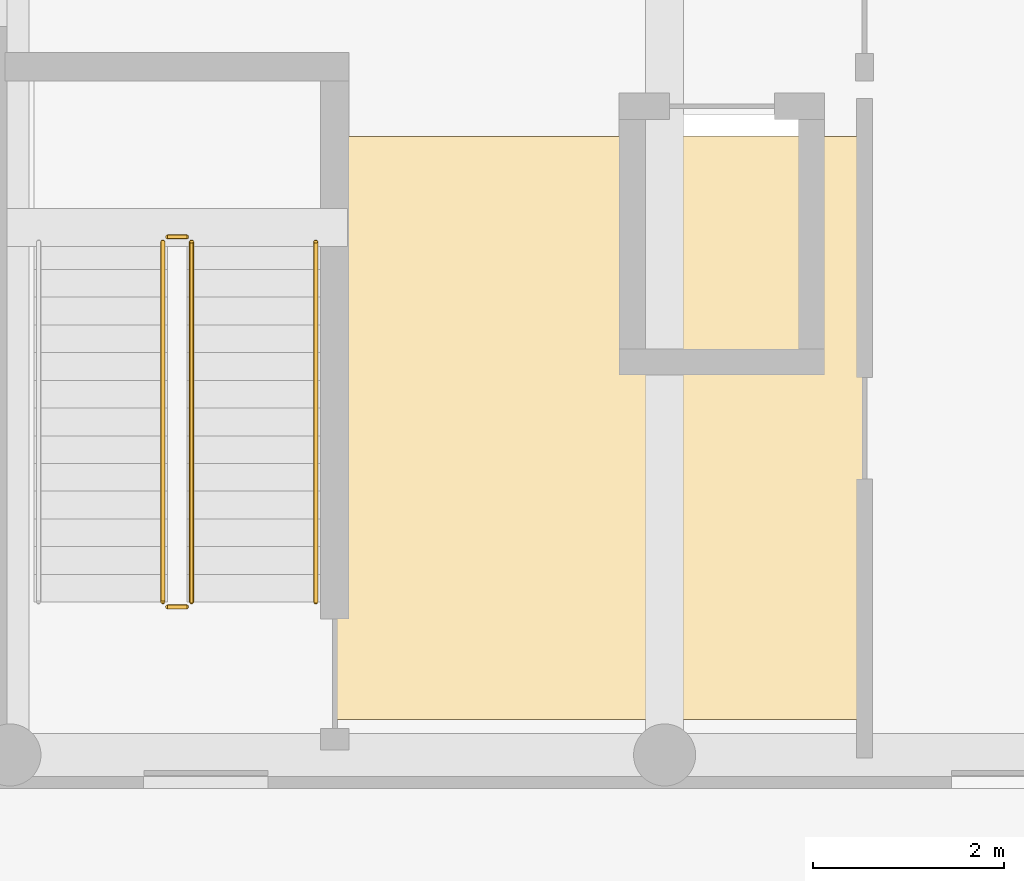
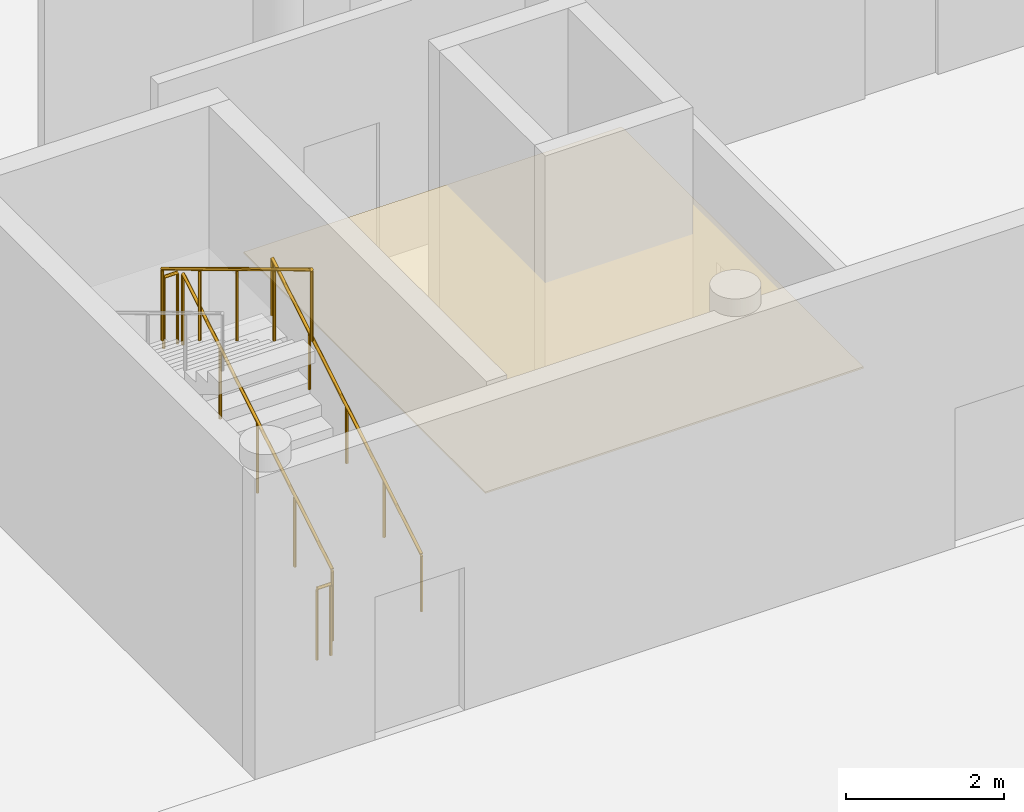
# One storey, part 72 of 85: 5 railings, 1 covering.
"""IFC4 building model written with IfcOpenShell, lengths in metres."""

from ifc_helpers import new_model, si_unit, derived_unit, direction, frame, origin, origin_2d, place, context, subcontext, project, spatial, polyline, circle, outline, extrude, material, layer, layer_set, type_object, element, save


model = new_model("IFC4")

# Units and contexts
model_context = context("Model", 3, precision=1e-05, world=origin(), true_north=direction((0.0, 1.0)))
body_context = subcontext(model_context, "Body", "Model", "MODEL_VIEW")
ifc_project = project(units=[si_unit("LENGTHUNIT", "METRE"), si_unit("AREAUNIT", "SQUARE_METRE"), si_unit("VOLUMEUNIT", "CUBIC_METRE"), si_unit("PLANEANGLEUNIT", "RADIAN"), si_unit("MASSUNIT", "GRAM", prefix="KILO"), derived_unit("THERMALTRANSMITTANCEUNIT", [(si_unit("MASSUNIT", "GRAM", prefix="KILO"), 1), (si_unit("TIMEUNIT", "SECOND"), -3), (si_unit("THERMODYNAMICTEMPERATUREUNIT", "KELVIN"), -1)])], contexts=[model_context])

# Site, building, storey
site_placement = place(None, origin())
site = spatial("IfcSite", under=ifc_project, at=site_placement, CompositionType="ELEMENT")
building_placement = place(site_placement, origin())
building = spatial("IfcBuilding", under=site, at=building_placement, Name="Ochrekiln Boulevard Commons", CompositionType="ELEMENT")
storey_placement = place(building_placement, origin())
storey = spatial("IfcBuildingStorey", under=building, at=storey_placement, Name="L00", CompositionType="ELEMENT", Elevation=0.0)

# Covering
ifc_material_1 = material(Name="Mineral-fibre acoustic ceiling tile")
ifc_layer = layer(ifc_material_1, 0.02490234375)
ifc_layer_set = layer_set([ifc_layer], Name="Mineral-fibre acoustic ceiling tile")
covering_type = type_object("IfcCoveringType", Name="COV-CEIL-AC", PredefinedType="CEILING", material=ifc_layer_set)
covering_placement = place(storey_placement, frame((0.0, 0.0, 2.64990234375)))
element("IfcCovering", 1, at=covering_placement, inside=storey, type_object=covering_type, Name="L00 Acoustic Corridor Ceiling 9", PredefinedType="CEILING", context=body_context, shape_type="SweptSolid", body=[
    extrude(outline(polyline([(68.570068359375, 97.919921875), (74.080078125, 97.919921875), (74.080078125, 104.02001953125), (68.570068359375, 104.02001953125), (68.570068359375, 97.919921875)])), origin(), (0.0, 0.0, 1.0), 0.025146484375),
])

# Railings
ifc_material_2 = material(Name="Brushed stainless steel 316 tubular railing", Category="steel")
railing_type_1 = type_object("IfcRailingType", Name="RLG-HDR-900", PredefinedType="HANDRAIL", material=ifc_material_2)
railing_1_placement = place(storey_placement, frame((68.35009765625, 99.14990234375, 0.175048828125)))
element("IfcRailing", 2, at=railing_1_placement, inside=storey, type_object=railing_type_1, Name="L00 ST-N1 stair handrail 1", PredefinedType="HANDRAIL", context=body_context, shape_type="SweptSolid", body=[
    extrude(circle(Radius=0.02392578125, at=origin_2d()), frame((0.0, 0.0, 0.8759765625), z_axis=(0.0, 0.856198655849, 0.51664674752), x_axis=(-1.0, 0.0, 0.0)), (0.0, 0.0, 1.0), 4.4033203125),
    extrude(circle(Radius=0.02099609375, at=origin_2d()), origin(), (0.0, 0.0, 1.0), 0.851806640625),
    extrude(circle(Radius=0.02099609375, at=origin_2d()), frame((0.0, 0.9423828125, 0.56884765625)), (0.0, 0.0, 1.0), 0.851806640625),
    extrude(circle(Radius=0.02099609375, at=origin_2d()), frame((0.0, 1.885009765625, 1.137451171875)), (0.0, 0.0, 1.0), 0.851806640625),
    extrude(circle(Radius=0.02099609375, at=origin_2d()), frame((0.0, 2.82763671875, 1.7060546875)), (0.0, 0.0, 1.0), 0.851806640625),
    extrude(circle(Radius=0.02099609375, at=origin_2d()), frame((0.0, 3.77001953125, 2.27490234375)), (0.0, 0.0, 1.0), 0.851806640625),
])
railing_type_2 = type_object("IfcRailingType", Name="RLG-STR-1120", PredefinedType="BALUSTRADE", material=ifc_material_2)
railing_2_placement = place(storey_placement, frame((67.050048828125, 99.14990234375, 0.175048828125)))
element("IfcRailing", 3, at=railing_2_placement, inside=storey, type_object=railing_type_2, Name="L00 ST-N1 stair guard 1", PredefinedType="BALUSTRADE", context=body_context, shape_type="SweptSolid", body=[
    extrude(circle(Radius=0.02392578125, at=origin_2d()), frame((0.0, 0.0, 1.09619140625), z_axis=(0.0, 0.856198655849, 0.51664674752), x_axis=(-1.0, 0.0, 0.0)), (0.0, 0.0, 1.0), 4.4033203125),
    extrude(circle(Radius=0.02099609375, at=origin_2d()), origin(), (0.0, 0.0, 1.0), 1.072021484375),
    extrude(circle(Radius=0.02099609375, at=origin_2d()), frame((0.0, 0.9423828125, 0.56884765625)), (0.0, 0.0, 1.0), 1.072021484375),
    extrude(circle(Radius=0.02099609375, at=origin_2d()), frame((0.0, 1.885009765625, 1.137451171875)), (0.0, 0.0, 1.0), 1.072021484375),
    extrude(circle(Radius=0.02099609375, at=origin_2d()), frame((0.0, 2.82763671875, 1.7060546875)), (0.0, 0.0, 1.0), 1.072021484375),
    extrude(circle(Radius=0.02099609375, at=origin_2d()), frame((0.0, 3.77001953125, 2.27490234375)), (0.0, 0.0, 1.0), 1.072021484375),
])
railing_3_placement = place(storey_placement, frame((67.0, 102.969970703125, 2.449951171875)))
element("IfcRailing", 4, at=railing_3_placement, inside=storey, type_object=railing_type_2, Name="L00 ST-N1 stair guard 2", PredefinedType="BALUSTRADE", context=body_context, shape_type="SweptSolid", body=[
    extrude(circle(Radius=0.02392578125, at=origin_2d()), frame((0.0, 0.0, 1.09619140625), z_axis=(-1.0, 0.0, 0.0), x_axis=(0.0, -1.0, 0.0)), (0.0, 0.0, 1.0), 0.199951171875),
    extrude(circle(Radius=0.02099609375, at=origin_2d()), origin(), (0.0, 0.0, 1.0), 1.072021484375),
    extrude(circle(Radius=0.02099609375, at=origin_2d()), frame((-0.199951171875, 0.0, 0.0)), (0.0, 0.0, 1.0), 1.072021484375),
])
railing_4_placement = place(storey_placement, frame((66.75, 102.919921875, 2.625)))
element("IfcRailing", 5, at=railing_4_placement, inside=storey, type_object=railing_type_2, Name="L00 ST-N1 stair guard 3", PredefinedType="BALUSTRADE", context=body_context, shape_type="SweptSolid", body=[
    extrude(circle(Radius=0.02392578125, at=origin_2d()), frame((0.0, 0.0, 1.09619140625), z_axis=(0.0, -0.856198655849, 0.51664674752), x_axis=(1.0, 0.0, 0.0)), (0.0, 0.0, 1.0), 4.4033203125),
    extrude(circle(Radius=0.02099609375, at=origin_2d()), origin(), (0.0, 0.0, 1.0), 1.072021484375),
    extrude(circle(Radius=0.02099609375, at=origin_2d()), frame((0.0, -0.9423828125, 0.56884765625)), (0.0, 0.0, 1.0), 1.072021484375),
    extrude(circle(Radius=0.02099609375, at=origin_2d()), frame((0.0, -1.885009765625, 1.137451171875)), (0.0, 0.0, 1.0), 1.072021484375),
    extrude(circle(Radius=0.02099609375, at=origin_2d()), frame((0.0, -2.82763671875, 1.7060546875)), (0.0, 0.0, 1.0), 1.072021484375),
    extrude(circle(Radius=0.02099609375, at=origin_2d()), frame((0.0, -3.77001953125, 2.27490234375)), (0.0, 0.0, 1.0), 1.072021484375),
])
railing_5_placement = place(storey_placement, frame((67.0, 99.10009765625, 0.0)))
element("IfcRailing", 6, at=railing_5_placement, inside=storey, type_object=railing_type_2, Name="L00 ST-N1 stair guard 4", PredefinedType="BALUSTRADE", context=body_context, shape_type="SweptSolid", body=[
    extrude(circle(Radius=0.02392578125, at=origin_2d()), frame((0.0, 0.0, 1.09619140625), z_axis=(-1.0, 0.0, 0.0), x_axis=(0.0, -1.0, 0.0)), (0.0, 0.0, 1.0), 0.199951171875),
    extrude(circle(Radius=0.02099609375, at=origin_2d()), origin(), (0.0, 0.0, 1.0), 1.072021484375),
    extrude(circle(Radius=0.02099609375, at=origin_2d()), frame((-0.199951171875, 0.0, 0.0)), (0.0, 0.0, 1.0), 1.072021484375),
])

save(model, "model.ifc")
